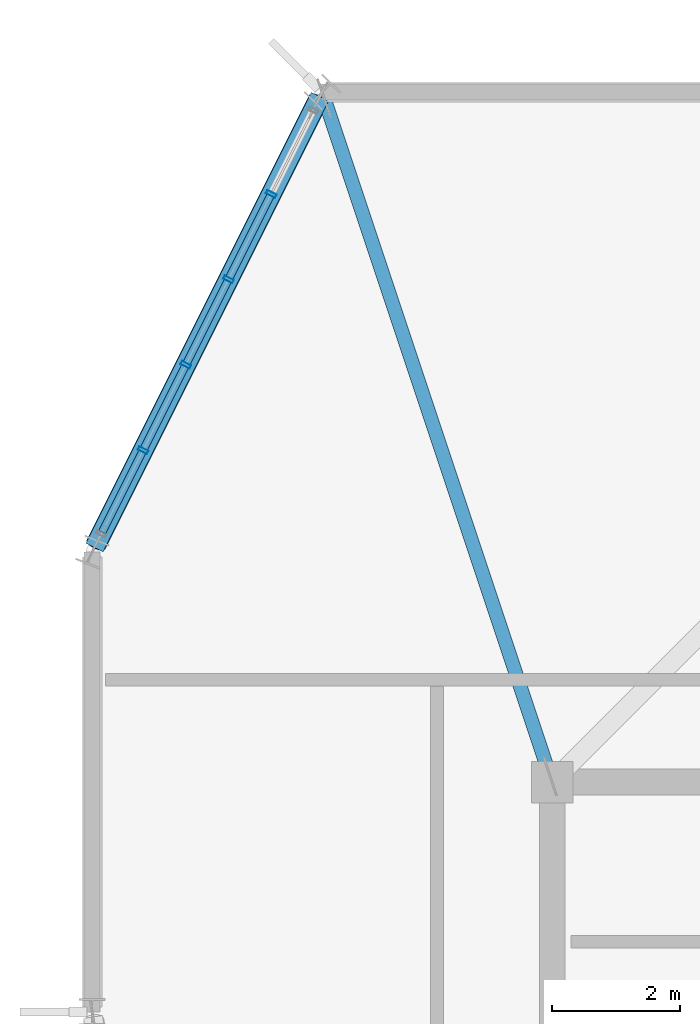
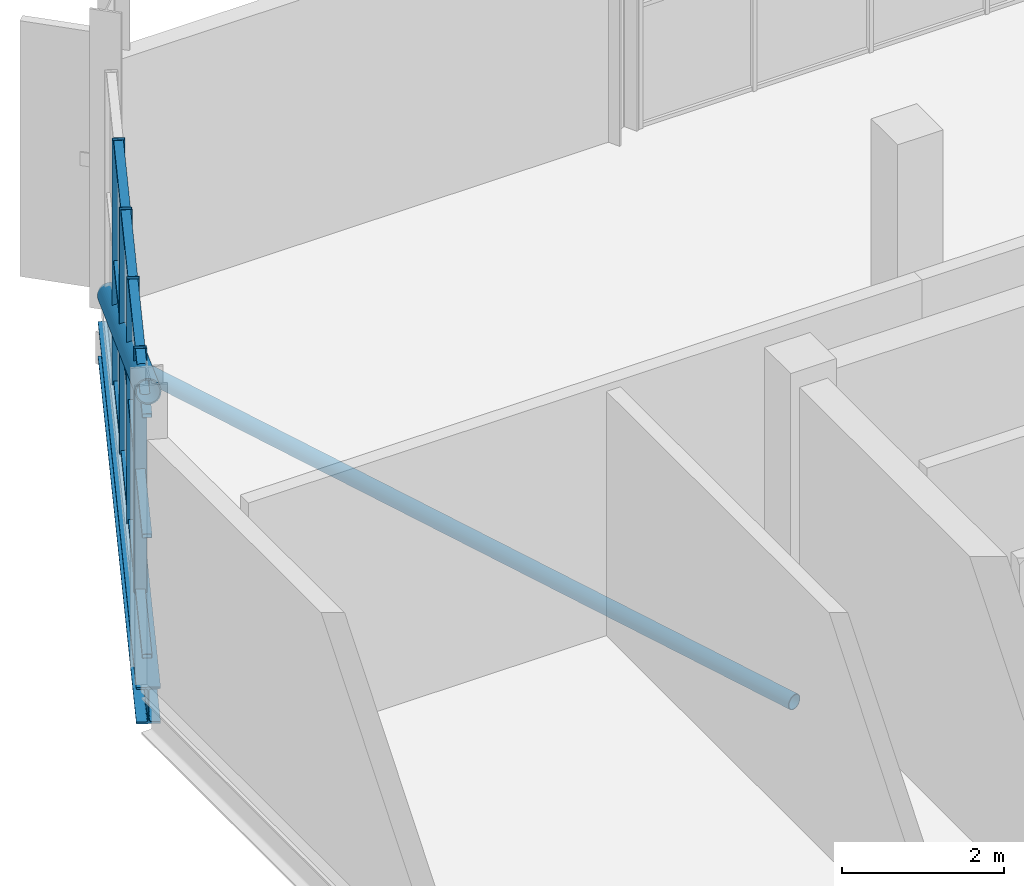
# One storey, part 8 of 22: 18 members, 1 beam, 1 element without a shape of its own.
"""IFC4 building model written with IfcOpenShell, lengths in metres."""

from ifc_helpers import new_model, si_unit, direction, frame, origin, origin_2d, place, context, subcontext, project, spatial, hollow_rectangle, hollow_circle, i_section, extrude, material, layer, layer_set, material_profile, profile_set, type_object, element, aggregate, save


model = new_model("IFC4")

# Units and contexts
model_context = context("Model", 3, precision=1e-05, world=origin(), true_north=direction((0.0, 1.0)))
body_context = subcontext(model_context, "Body", "Model", "MODEL_VIEW")
ifc_project = project(units=[si_unit("LENGTHUNIT", "METRE"), si_unit("AREAUNIT", "SQUARE_METRE"), si_unit("VOLUMEUNIT", "CUBIC_METRE"), si_unit("PLANEANGLEUNIT", "RADIAN"), si_unit("MASSUNIT", "GRAM", prefix="KILO")], contexts=[model_context])

# Site, building, storey
site_placement = place(None, origin())
site = spatial("IfcSite", under=ifc_project, at=site_placement, CompositionType="ELEMENT")
building_placement = place(site_placement, origin())
building = spatial("IfcBuilding", under=site, at=building_placement, Name="Solnavia Interchange Tower", CompositionType="ELEMENT")
storey_placement = place(building_placement, frame((0.0, 0.0, 308.699951171875)))
storey = spatial("IfcBuildingStorey", under=building, at=storey_placement, Name="C02", CompositionType="ELEMENT", Elevation=308.699951171875)

# Curtain wall, members
ifc_material_1 = material(Name="Aluminium Alloy 6063-T6", Category="aluminium")
ifc_layer = layer(ifc_material_1, 0.179931640625)
ifc_layer_set = layer_set([ifc_layer], Name="Aluminium Alloy 6063-T6")
curtain_wall_type = type_object("IfcCurtainWallType", Name="CurtainWall-Crown-CTW6", PredefinedType="NOTDEFINED", material=ifc_layer_set)
curtain_wall_placement = place(storey_placement, origin())
curtain_wall = element("IfcCurtainWall", 1, at=curtain_wall_placement, inside=storey, type_object=curtain_wall_type, Name="CTW-C02-R07 CTW-6 curtain wall", PredefinedType="NOTDEFINED")
ifc_material_profile_1 = material_profile(ifc_material_1, hollow_rectangle(XDim=0.06005859375, YDim=0.159912109375, WallThickness=0.00390625, at=origin_2d()), Name="ALU 160x60x4")
ifc_profile_set_1 = profile_set([ifc_material_profile_1], Name="Aluminium Alloy 6063-T6")
member_type_1 = type_object("IfcMemberType", Name="CW-Mullion-CWM-6", PredefinedType="MULLION", material=ifc_profile_set_1)
member_1_placement = place(storey_placement, frame((10.002685546875, 34.4052734375, 0.0), z_axis=(0.0, 0.0, 1.0), x_axis=(-0.447213595499, -0.894427191001, 0.0)))
member_1 = element("IfcMember", 2, at=member_1_placement, type_object=member_type_1, Name="CTW-6 mullion 2", PredefinedType="MULLION", context=body_context, shape_type="SweptSolid", body=[
    extrude(hollow_rectangle(XDim=0.06005859375, YDim=0.159912109375, WallThickness=0.00390625, at=origin_2d()), origin(), (0.0, 0.0, 1.0), 3.679931640625),
])
member_2_placement = place(storey_placement, frame((9.334228515625, 33.068359375, 0.0), z_axis=(0.0, 0.0, 1.0), x_axis=(-0.447213595499, -0.894427191001, 0.0)))
member_2 = element("IfcMember", 3, at=member_2_placement, type_object=member_type_1, Name="CTW-6 mullion 3", PredefinedType="MULLION", context=body_context, shape_type="SweptSolid", body=[
    extrude(hollow_rectangle(XDim=0.06005859375, YDim=0.159912109375, WallThickness=0.00390625, at=origin_2d()), origin(), (0.0, 0.0, 1.0), 3.679931640625),
])
member_3_placement = place(storey_placement, frame((8.665771484375, 31.731689453125, 0.0), z_axis=(0.0, 0.0, 1.0), x_axis=(-0.447213595499, -0.894427191001, 0.0)))
member_3 = element("IfcMember", 4, at=member_3_placement, type_object=member_type_1, Name="CTW-6 mullion 4", PredefinedType="MULLION", context=body_context, shape_type="SweptSolid", body=[
    extrude(hollow_rectangle(XDim=0.06005859375, YDim=0.159912109375, WallThickness=0.00390625, at=origin_2d()), origin(), (0.0, 0.0, 1.0), 3.679931640625),
])
member_4_placement = place(storey_placement, frame((7.997314453125, 30.394775390625, 0.0), z_axis=(0.0, 0.0, 1.0), x_axis=(-0.447213595499, -0.894427191001, 0.0)))
member_4 = element("IfcMember", 5, at=member_4_placement, type_object=member_type_1, Name="CTW-6 mullion 5", PredefinedType="MULLION", context=body_context, shape_type="SweptSolid", body=[
    extrude(hollow_rectangle(XDim=0.06005859375, YDim=0.159912109375, WallThickness=0.00390625, at=origin_2d()), origin(), (0.0, 0.0, 1.0), 3.679931640625),
])
ifc_material_profile_2 = material_profile(ifc_material_1, hollow_rectangle(XDim=0.06005859375, YDim=0.1201171875, WallThickness=0.00390625, at=origin_2d()), Name="ALU 120x60x4")
ifc_profile_set_2 = profile_set([ifc_material_profile_2], Name="Aluminium Alloy 6063-T6")
member_type_2 = type_object("IfcMemberType", Name="CW-Transom-CWT-6", PredefinedType="USERDEFINED", material=ifc_profile_set_2)
member_5_placement = place(storey_placement, frame((9.9892578125, 34.37841796875, 0.030029296875), z_axis=(-0.4472135955, -0.894427191, 0.0), x_axis=(0.0, 0.0, 1.0)))
member_5 = element("IfcMember", 6, at=member_5_placement, type_object=member_type_2, Name="CTW-6 transom 2.1", ObjectType="TRANSOM", PredefinedType="USERDEFINED", context=body_context, shape_type="SweptSolid", body=[
    extrude(hollow_rectangle(XDim=0.06005859375, YDim=0.1201171875, WallThickness=0.00390625, at=origin_2d()), origin(), (0.0, 0.0, 1.0), 1.4345703125),
])
member_6_placement = place(storey_placement, frame((9.9892578125, 34.37841796875, 1.840087890625), z_axis=(-0.4472135955, -0.894427191, 0.0), x_axis=(0.0, 0.0, 1.0)))
member_6 = element("IfcMember", 7, at=member_6_placement, type_object=member_type_2, Name="CTW-6 transom 2.2", ObjectType="TRANSOM", PredefinedType="USERDEFINED", context=body_context, shape_type="SweptSolid", body=[
    extrude(hollow_rectangle(XDim=0.06005859375, YDim=0.1201171875, WallThickness=0.00390625, at=origin_2d()), origin(), (0.0, 0.0, 1.0), 1.4345703125),
])
member_7_placement = place(storey_placement, frame((9.9892578125, 34.37841796875, 3.650146484375), z_axis=(-0.4472135955, -0.894427191, 0.0), x_axis=(0.0, 0.0, 1.0)))
member_7 = element("IfcMember", 8, at=member_7_placement, type_object=member_type_2, Name="CTW-6 transom 2.3", ObjectType="TRANSOM", PredefinedType="USERDEFINED", context=body_context, shape_type="SweptSolid", body=[
    extrude(hollow_rectangle(XDim=0.06005859375, YDim=0.1201171875, WallThickness=0.00390625, at=origin_2d()), origin(), (0.0, 0.0, 1.0), 1.4345703125),
])
member_8_placement = place(storey_placement, frame((9.32080078125, 33.04150390625, 0.030029296875), z_axis=(-0.447281673607, -0.894393148708, 0.0), x_axis=(0.0, 0.0, 1.0)))
member_8 = element("IfcMember", 9, at=member_8_placement, type_object=member_type_2, Name="CTW-6 transom 3.1", ObjectType="TRANSOM", PredefinedType="USERDEFINED", context=body_context, shape_type="SweptSolid", body=[
    extrude(hollow_rectangle(XDim=0.06005859375, YDim=0.1201171875, WallThickness=0.00390625, at=origin_2d()), origin(), (0.0, 0.0, 1.0), 1.434326171875),
])
member_9_placement = place(storey_placement, frame((9.32080078125, 33.04150390625, 1.840087890625), z_axis=(-0.447281673607, -0.894393148708, 0.0), x_axis=(0.0, 0.0, 1.0)))
member_9 = element("IfcMember", 10, at=member_9_placement, type_object=member_type_2, Name="CTW-6 transom 3.2", ObjectType="TRANSOM", PredefinedType="USERDEFINED", context=body_context, shape_type="SweptSolid", body=[
    extrude(hollow_rectangle(XDim=0.06005859375, YDim=0.1201171875, WallThickness=0.00390625, at=origin_2d()), origin(), (0.0, 0.0, 1.0), 1.434326171875),
])
member_10_placement = place(storey_placement, frame((9.32080078125, 33.04150390625, 3.650146484375), z_axis=(-0.447281673607, -0.894393148708, 0.0), x_axis=(0.0, 0.0, 1.0)))
member_10 = element("IfcMember", 11, at=member_10_placement, type_object=member_type_2, Name="CTW-6 transom 3.3", ObjectType="TRANSOM", PredefinedType="USERDEFINED", context=body_context, shape_type="SweptSolid", body=[
    extrude(hollow_rectangle(XDim=0.06005859375, YDim=0.1201171875, WallThickness=0.00390625, at=origin_2d()), origin(), (0.0, 0.0, 1.0), 1.434326171875),
])
member_11_placement = place(storey_placement, frame((8.65234375, 31.704833984375, 0.030029296875), z_axis=(-0.4472135955, -0.894427191, 0.0), x_axis=(0.0, 0.0, 1.0)))
member_11 = element("IfcMember", 12, at=member_11_placement, type_object=member_type_2, Name="CTW-6 transom 4.1", ObjectType="TRANSOM", PredefinedType="USERDEFINED", context=body_context, shape_type="SweptSolid", body=[
    extrude(hollow_rectangle(XDim=0.06005859375, YDim=0.1201171875, WallThickness=0.00390625, at=origin_2d()), origin(), (0.0, 0.0, 1.0), 1.4345703125),
])
member_12_placement = place(storey_placement, frame((8.65234375, 31.704833984375, 1.840087890625), z_axis=(-0.4472135955, -0.894427191, 0.0), x_axis=(0.0, 0.0, 1.0)))
member_12 = element("IfcMember", 13, at=member_12_placement, type_object=member_type_2, Name="CTW-6 transom 4.2", ObjectType="TRANSOM", PredefinedType="USERDEFINED", context=body_context, shape_type="SweptSolid", body=[
    extrude(hollow_rectangle(XDim=0.06005859375, YDim=0.1201171875, WallThickness=0.00390625, at=origin_2d()), origin(), (0.0, 0.0, 1.0), 1.4345703125),
])
member_13_placement = place(storey_placement, frame((8.65234375, 31.704833984375, 3.650146484375), z_axis=(-0.4472135955, -0.894427191, 0.0), x_axis=(0.0, 0.0, 1.0)))
member_13 = element("IfcMember", 14, at=member_13_placement, type_object=member_type_2, Name="CTW-6 transom 4.3", ObjectType="TRANSOM", PredefinedType="USERDEFINED", context=body_context, shape_type="SweptSolid", body=[
    extrude(hollow_rectangle(XDim=0.06005859375, YDim=0.1201171875, WallThickness=0.00390625, at=origin_2d()), origin(), (0.0, 0.0, 1.0), 1.4345703125),
])
member_14_placement = place(storey_placement, frame((7.98388671875, 30.367919921875, 0.030029296875), z_axis=(-0.4472135955, -0.894427191, 0.0), x_axis=(0.0, 0.0, 1.0)))
member_14 = element("IfcMember", 15, at=member_14_placement, type_object=member_type_2, Name="CTW-6 transom 5.1", ObjectType="TRANSOM", PredefinedType="USERDEFINED", context=body_context, shape_type="SweptSolid", body=[
    extrude(hollow_rectangle(XDim=0.06005859375, YDim=0.1201171875, WallThickness=0.00390625, at=origin_2d()), origin(), (0.0, 0.0, 1.0), 1.404541015625),
])
member_15_placement = place(storey_placement, frame((7.98388671875, 30.367919921875, 1.840087890625), z_axis=(-0.4472135955, -0.894427191, 0.0), x_axis=(0.0, 0.0, 1.0)))
member_15 = element("IfcMember", 16, at=member_15_placement, type_object=member_type_2, Name="CTW-6 transom 5.2", ObjectType="TRANSOM", PredefinedType="USERDEFINED", context=body_context, shape_type="SweptSolid", body=[
    extrude(hollow_rectangle(XDim=0.06005859375, YDim=0.1201171875, WallThickness=0.00390625, at=origin_2d()), origin(), (0.0, 0.0, 1.0), 1.404541015625),
])
member_16_placement = place(storey_placement, frame((7.98388671875, 30.367919921875, 3.650146484375), z_axis=(-0.4472135955, -0.894427191, 0.0), x_axis=(0.0, 0.0, 1.0)))
member_16 = element("IfcMember", 17, at=member_16_placement, type_object=member_type_2, Name="CTW-6 transom 5.3", ObjectType="TRANSOM", PredefinedType="USERDEFINED", context=body_context, shape_type="SweptSolid", body=[
    extrude(hollow_rectangle(XDim=0.06005859375, YDim=0.1201171875, WallThickness=0.00390625, at=origin_2d()), origin(), (0.0, 0.0, 1.0), 1.404541015625),
])
aggregate(curtain_wall, [member_1, member_2, member_3, member_4, member_5, member_6, member_7, member_8, member_9, member_10, member_11, member_12, member_13, member_14, member_15, member_16])

# Members
ifc_material_2 = material(Name="Steel S355", Category="steel")
ifc_material_profile_3 = material_profile(ifc_material_2, hollow_circle(Radius=0.161865234375, WallThickness=0.01611328125, at=origin_2d()), Name="CHS 323.9x16")
ifc_profile_set_3 = profile_set([ifc_material_profile_3], Name="Steel S355")
member_type_3 = type_object("IfcMemberType", Name="CrownFrame-Brace-CHS323", PredefinedType="BRACE", material=ifc_profile_set_3)
member_17_placement = place(storey_placement, frame((10.7373046875, 35.874755859375, 0.179931640625), z_axis=(-0.398015172744, -0.796058311704, 0.455933204135), x_axis=(0.894433475355, -0.447201026568, 0.0)))
element("IfcMember", 18, at=member_17_placement, inside=storey, type_object=member_type_3, Name="BRC-C02-CF07 CROWN FRAME ring brace", PredefinedType="BRACE", context=body_context, shape_type="SweptSolid", body=[
    extrude(hollow_circle(Radius=0.161865234375, WallThickness=0.01611328125, at=origin_2d()), origin(), (0.0, 0.0, 1.0), 8.729736328125),
])
ifc_material_profile_4 = material_profile(ifc_material_2, hollow_circle(Radius=0.109619140625, WallThickness=0.010009765625, at=origin_2d()), Name="CHS 219.1x10")
ifc_profile_set_4 = profile_set([ifc_material_profile_4], Name="Steel S355")
member_type_4 = type_object("IfcMemberType", Name="CrownFrame-Collar-CHS219", PredefinedType="COLLAR", material=ifc_profile_set_4)
member_18_placement = place(storey_placement, frame((14.368408203125, 25.294921875, -0.800048828125), z_axis=(-0.316240863558, 0.948678932103, 0.0), x_axis=(-0.948678932103, -0.316240863558, 0.0)))
element("IfcMember", 19, at=member_18_placement, inside=storey, type_object=member_type_4, Name="OTR-C02-CL05 CROWN FRAME radial collar member", PredefinedType="COLLAR", context=body_context, shape_type="SweptSolid", body=[
    extrude(hollow_circle(Radius=0.109619140625, WallThickness=0.010009765625, at=origin_2d()), origin(), (0.0, 0.0, 1.0), 11.18408203125),
])

# Beam
ifc_material_3 = material(Name="Steel S460", Category="steel")
ifc_material_profile_5 = material_profile(ifc_material_3, i_section(OverallWidth=0.300048828125, OverallDepth=0.550048828125, WebThickness=0.014892578125, FlangeThickness=0.029052734375, FilletRadius=0.027099609375, at=origin_2d()), Name="HEB 550")
ifc_profile_set_5 = profile_set([ifc_material_profile_5], Name="Steel S460")
beam_type = type_object("IfcBeamType", Name="CrownFrame-Ring-HEB550", PredefinedType="BEAM", material=ifc_profile_set_5)
beam_placement = place(storey_placement, frame((10.76416015625, 35.928466796875, -0.52490234375), z_axis=(-0.447201217898, -0.894433379694, 0.0), x_axis=(0.894433379694, -0.447201217898, 0.0)))
element("IfcBeam", 20, at=beam_placement, inside=storey, type_object=beam_type, Name="GRD-C02-CR07 CROWN FRAME outer collar ring beam", PredefinedType="BEAM", context=body_context, shape_type="SweptSolid", body=[
    extrude(i_section(OverallWidth=0.300048828125, OverallDepth=0.550048828125, WebThickness=0.014892578125, FlangeThickness=0.029052734375, FilletRadius=0.027099609375, at=origin_2d()), origin(), (0.0, 0.0, 1.0), 7.889892578125),
])

save(model, "model.ifc")
